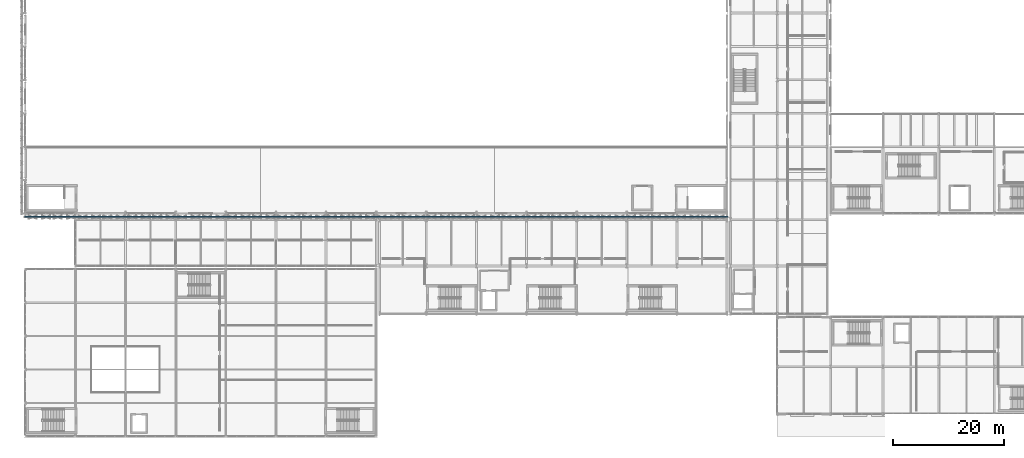
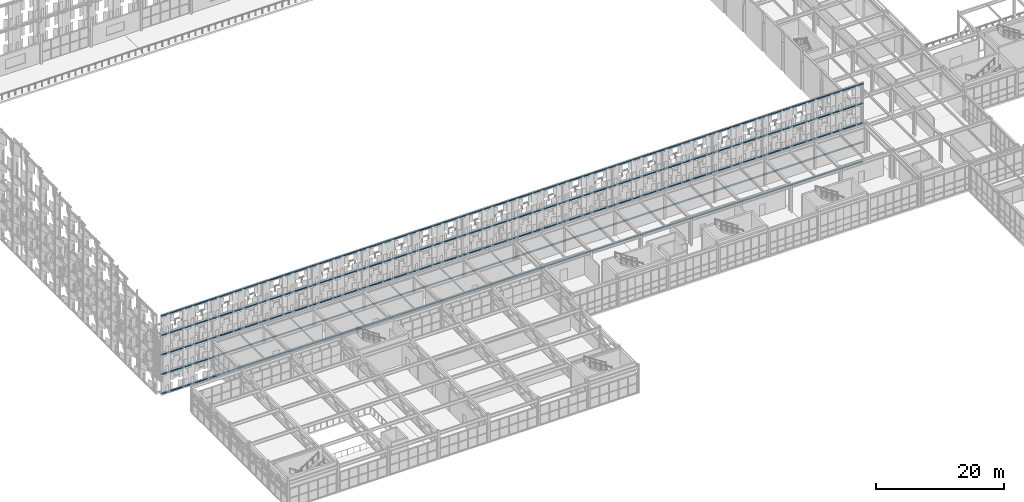
# One storey, part 166 of 210: 5 discrete accessories.
"""IFC4 building model written with IfcOpenShell, lengths in metres."""

from ifc_helpers import new_model, si_unit, direction, frame, origin, origin_2d, place, context, subcontext, project, spatial, rectangle, extrude, material, type_object, element, save


model = new_model("IFC4")

# Units and contexts
model_context = context("Model", 3, precision=1e-05, world=origin(), true_north=direction((0.0, 1.0)))
body_context = subcontext(model_context, "Body", "Model", "MODEL_VIEW")
ifc_project = project(units=[si_unit("LENGTHUNIT", "METRE"), si_unit("AREAUNIT", "SQUARE_METRE"), si_unit("VOLUMEUNIT", "CUBIC_METRE"), si_unit("PLANEANGLEUNIT", "RADIAN"), si_unit("MASSUNIT", "GRAM", prefix="KILO")], contexts=[model_context])

# Site, building, storey
site_placement = place(None, origin())
site = spatial("IfcSite", under=ifc_project, at=site_placement, CompositionType="ELEMENT")
building_placement = place(site_placement, origin())
building = spatial("IfcBuilding", under=site, at=building_placement, Name="Kaldris Quays Convention Centre", CompositionType="ELEMENT")
storey_placement = place(building_placement, frame((0.0, 0.0, 6.0)))
storey = spatial("IfcBuildingStorey", under=building, at=storey_placement, Name="L01", CompositionType="ELEMENT", Elevation=6.0)

# Discrete accessories
ifc_material = material(Name="Steel S355J2", Category="steel")
discrete_accessory_type = type_object("IfcDiscreteAccessoryType", Name="SCREEN OUTRIGGER BRACKET BK01", PredefinedType="BRACKET", material=ifc_material)
for number, where, z_axis, x_axis, name in (
    (1, (83.0, 55.419921875, -2.259765625), (0.0, 0.0, 1.0), (1.0, 0.0, 0.0), "V1S Screen Carrier Rail 235"),
    (2, (83.0, 55.419921875, 1.43994140625), (0.0, 0.0, 1.0), (1.0, 0.0, 0.0), "V1S Screen Carrier Rail 236"),
    (3, (83.0, 55.419921875, 5.14013671875), (0.0, 0.0, 1.0), (1.0, 0.0, 0.0), "V1S Screen Carrier Rail 237"),
    (4, (83.0, 55.419921875, 8.83984375), (0.0, 0.0, 1.0), (1.0, 0.0, 0.0), "V1S Screen Carrier Rail 238"),
    (5, (83.0, 55.419921875, 12.5400390625), (0.0, 0.0, 1.0), (1.0, 0.0, 0.0), "V1S Screen Carrier Rail 239"),
):
    element("IfcDiscreteAccessory", number, at=place(storey_placement, frame(where, z_axis=z_axis, x_axis=x_axis)), inside=storey, type_object=discrete_accessory_type, Name=name, PredefinedType="BRACKET", context=body_context, shape_type="SweptSolid", body=[
        extrude(rectangle(XDim=126.199951171875, YDim=0.219970703125, at=origin_2d()), origin(), (0.0, 0.0, 1.0), 0.219970703125),
    ])

save(model, "model.ifc")
